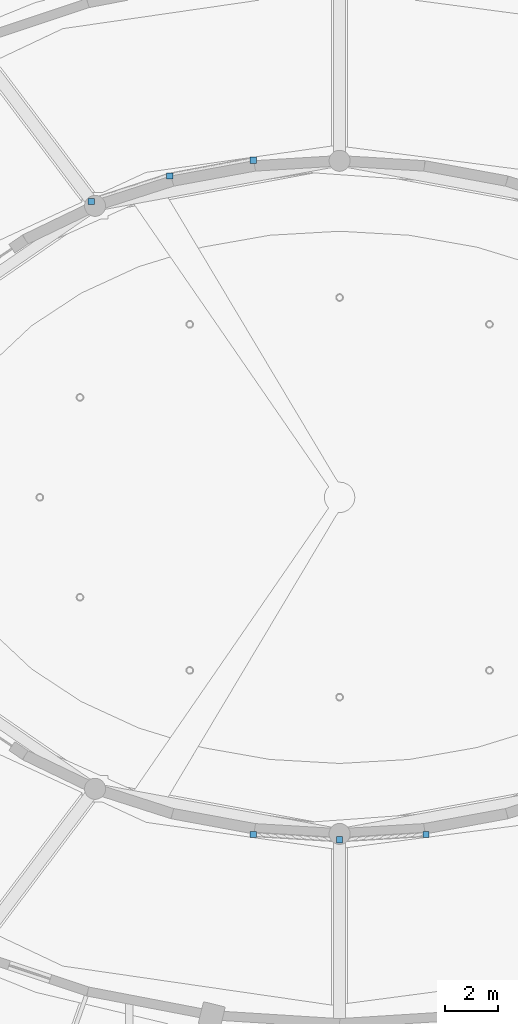
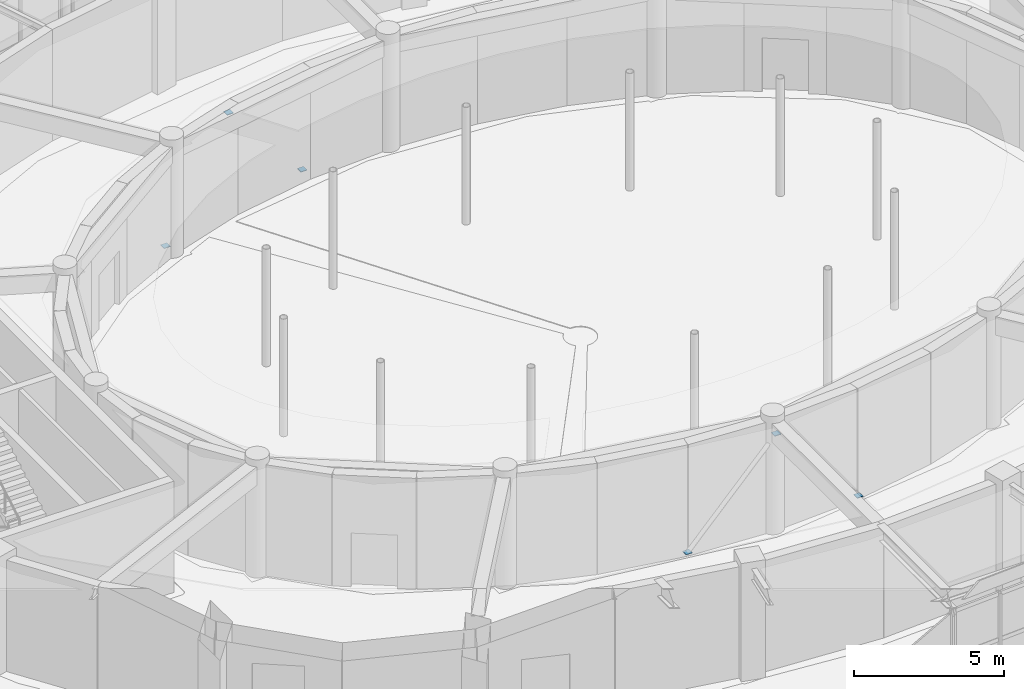
# One storey, part 97 of 108: 6 discrete accessories.
"""IFC4 building model written with IfcOpenShell, lengths in metres."""

import ifcopenshell
import ifcopenshell.guid

model = None  # the IFC model being written
_history = None  # IfcOwnerHistory: only IFC2X3 demands one
_inside = {}  # id of a spatial element -> (the spatial element, [elements in it])
_under = {}  # id of a project, library or spatial element -> (it, [spatial elements below it])
_declared = {}  # id of a project -> (the project, [libraries it declares])
_typed = {}  # id of a type object -> (the type object, [elements of that type])
_made_of = {}  # id of a material, layer set ... -> (it, [elements and type objects made of it])


def new_model(schema):
    """Start an empty IFC model of exactly this schema.

    Asked for "IFC4X3", IfcOpenShell would pick the latest addendum, in which some entities
    have other attributes; the version numbers below select the first issue.
    IFC2X3 requires an IfcOwnerHistory on every rooted entity: one is made here for all.
    """
    global model, _history
    if schema == "IFC4X3":
        model = ifcopenshell.file(schema_version=(4, 3, 0, 0))
    else:
        model = ifcopenshell.file(schema=schema)
    _inside.clear()
    _under.clear()
    _declared.clear()
    _typed.clear()
    _made_of.clear()
    _history = None
    if model.schema == "IFC2X3":
        org = make("IfcOrganization", Name="unknown")
        user = make(
            "IfcPersonAndOrganization",
            ThePerson=make("IfcPerson", FamilyName="unknown"),
            TheOrganization=org,
        )
        app = make(
            "IfcApplication",
            ApplicationDeveloper=org,
            Version="unknown",
            ApplicationFullName="unknown",
            ApplicationIdentifier="unknown",
        )
        _history = make(
            "IfcOwnerHistory",
            OwningUser=user,
            OwningApplication=app,
            ChangeAction="ADDED",
            CreationDate=0,
        )
    return model


def make(cls, **values):
    """One entity of the class cls with the attributes given. An attribute that is None is left unset."""
    return model.create_entity(
        cls, **{name: value for name, value in values.items() if value is not None}
    )


def rooted(cls, **values):
    """An entity with a GlobalId (a new one), such as an element, a storey or a relation."""
    return make(cls, GlobalId=ifcopenshell.guid.new(), OwnerHistory=_history, **values)


def si_unit(unit_type, name, prefix=None):
    """IfcSIUnit, for example si_unit("LENGTHUNIT", "METRE", prefix="MILLI")."""
    return make("IfcSIUnit", UnitType=unit_type, Prefix=prefix, Name=name)


def assignment(units):
    """IfcUnitAssignment: the units of a project."""
    return None if units is None else make("IfcUnitAssignment", Units=units)


def point(xyz):
    """IfcCartesianPoint."""
    return None if xyz is None else make("IfcCartesianPoint", Coordinates=xyz)


def direction(xyz):
    """IfcDirection."""
    return None if xyz is None else make("IfcDirection", DirectionRatios=xyz)


def frame(location, z_axis=None, x_axis=None):
    """IfcAxis2Placement3D, a coordinate frame: its origin and axes. An axis left out is left unset."""
    return make(
        "IfcAxis2Placement3D",
        Location=point(location),
        Axis=direction(z_axis),
        RefDirection=direction(x_axis),
    )


def frame_2d(location, x_axis=None):
    """IfcAxis2Placement2D, a coordinate frame in the plane: its origin and x axis."""
    return make(
        "IfcAxis2Placement2D", Location=point(location), RefDirection=direction(x_axis)
    )


def origin():
    """The frame at (0, 0, 0) with its axes left unset."""
    return frame((0.0, 0.0, 0.0))


def origin_2d():
    """The frame at (0, 0) in the plane with its x axis left unset."""
    return frame_2d((0.0, 0.0))


def place(relative_to, where):
    """IfcLocalPlacement: puts the frame where relative to a parent placement (None: the world)."""
    return make(
        "IfcLocalPlacement", PlacementRelTo=relative_to, RelativePlacement=where
    )


def context(
    kind, dimensions, precision=None, world=None, true_north=None, identifier=None
):
    """IfcGeometricRepresentationContext, for example the 3D "Model" context."""
    return make(
        "IfcGeometricRepresentationContext",
        ContextIdentifier=identifier,
        ContextType=kind,
        CoordinateSpaceDimension=dimensions,
        Precision=precision,
        WorldCoordinateSystem=world,
        TrueNorth=true_north,
    )


def subcontext(parent, identifier, kind, view, scale=None):
    """IfcGeometricRepresentationSubContext, for example "Body" below "Model"."""
    return make(
        "IfcGeometricRepresentationSubContext",
        ContextIdentifier=identifier,
        ContextType=kind,
        ParentContext=parent,
        TargetScale=scale,
        TargetView=view,
    )


def project(units=None, contexts=None):
    """IfcProject with its units and contexts."""
    return rooted(
        "IfcProject",
        Name="project",
        RepresentationContexts=contexts,
        UnitsInContext=assignment(units),
    )


def spatial(cls, under=None, at=None, **own):
    """A site, building, storey or space (cls), placed at a placement, below another one or the project."""
    s = rooted(cls, ObjectPlacement=at, **own)
    if under is not None:
        _under.setdefault(under.id(), (under, []))[1].append(s)
    return s


def profile(cls, at=None, kind="AREA", **sizes):
    """A parametric profile (cls). Its sizes go by their IFC names, for example OverallWidth=200.0."""
    return make(cls, ProfileType=kind, Position=at, **sizes)


def rectangle(**sizes):
    """IfcRectangleProfileDef."""
    return profile("IfcRectangleProfileDef", **sizes)


def extrude(swept, where, along, depth):
    """IfcExtrudedAreaSolid: the profile swept, set in the frame where, extruded along a direction by depth."""
    return make(
        "IfcExtrudedAreaSolid",
        SweptArea=swept,
        Position=where,
        ExtrudedDirection=direction(along),
        Depth=depth,
    )


def shape(context_of_items, identifier, shape_type, items):
    """IfcShapeRepresentation: the items that make up one representation, for example the "Body"."""
    return make(
        "IfcShapeRepresentation",
        ContextOfItems=context_of_items,
        RepresentationIdentifier=identifier,
        RepresentationType=shape_type,
        Items=items,
    )


def material(Name=None, Category=None):
    """IfcMaterial."""
    return make("IfcMaterial", Name=Name, Category=Category)


def made_of(thing, what):
    """Note that an element or type object is made of a material, layer set ...; save() writes the relation."""
    if what is not None:
        _made_of.setdefault(what.id(), (what, []))[1].append(thing)
    return thing


def type_object(cls, material=None, **own):
    """A type object (cls), such as IfcWallType, which elements share."""
    return made_of(rooted(cls, **own), material)


def element(
    cls,
    number,
    at=None,
    inside=None,
    cuts=None,
    type_object=None,
    material=None,
    context=None,
    identifier="Body",
    shape_type=None,
    held_by="IfcProductDefinitionShape",
    body=None,
    shapes=None,
    **own,
):
    """One element of the class cls, such as IfcWall. Its Tag is "e" and its number.

    at: its placement. inside: the storey or other place that contains it. cuts: it is an
    opening in that element (IfcRelVoidsElement). A single representation is given by context,
    identifier, shape_type and body (its items); several are given by shapes. held_by: the class
    of the entity that holds the representations. save() writes the other relations.
    """
    e = rooted(cls, Tag="e%d" % number, ObjectPlacement=at, **own)
    if body is not None:
        shapes = [shape(context, identifier, shape_type, body)]
    if shapes is not None:
        e.Representation = make(held_by, Representations=shapes)
    if inside is not None:
        _inside.setdefault(inside.id(), (inside, []))[1].append(e)
    if cuts is not None:
        rooted(
            "IfcRelVoidsElement", RelatingBuildingElement=cuts, RelatedOpeningElement=e
        )
    if type_object is not None:
        _typed.setdefault(type_object.id(), (type_object, []))[1].append(e)
    return made_of(e, material)


def aggregate(whole, parts):
    """IfcRelAggregates: a whole, such as a stair, and the parts it consists of."""
    return rooted("IfcRelAggregates", RelatingObject=whole, RelatedObjects=parts)


def save(model, path):
    """Write the relations noted so far, then the file.

    IfcRelAggregates (storeys below a building ...), IfcRelContainedInSpatialStructure (elements
    in a storey), IfcRelDefinesByType, IfcRelAssociatesMaterial and IfcRelDeclares: one each for
    every whole, place, type object, material and project.
    """
    for whole, parts in _under.values():
        aggregate(whole, parts)
    for where, things in _inside.values():
        rooted(
            "IfcRelContainedInSpatialStructure",
            RelatedElements=things,
            RelatingStructure=where,
        )
    for kind, things in _typed.values():
        rooted("IfcRelDefinesByType", RelatedObjects=things, RelatingType=kind)
    for what, things in _made_of.values():
        rooted("IfcRelAssociatesMaterial", RelatedObjects=things, RelatingMaterial=what)
    for by, libraries in _declared.values():
        rooted("IfcRelDeclares", RelatingContext=by, RelatedDefinitions=libraries)
    model.write(path)


model = new_model("IFC4")

# Units and contexts
model_context = context("Model", 3, precision=1e-05, world=origin(), true_north=direction((0.0, 1.0)))
body_context = subcontext(model_context, "Body", "Model", "MODEL_VIEW")
ifc_project = project(units=[si_unit("LENGTHUNIT", "METRE"), si_unit("AREAUNIT", "SQUARE_METRE"), si_unit("VOLUMEUNIT", "CUBIC_METRE"), si_unit("PLANEANGLEUNIT", "RADIAN"), si_unit("MASSUNIT", "GRAM", prefix="KILO")], contexts=[model_context])

# Site, building, storey
site_placement = place(None, origin())
site = spatial("IfcSite", under=ifc_project, at=site_placement, CompositionType="ELEMENT")
building_placement = place(site_placement, origin())
building = spatial("IfcBuilding", under=site, at=building_placement, Name="Tarnveldt Headland Concert Hall", CompositionType="ELEMENT")
storey_placement = place(building_placement, origin())
storey = spatial("IfcBuildingStorey", under=building, at=storey_placement, Name="L00", CompositionType="ELEMENT", Elevation=0.0)

# Discrete accessories
ifc_material = material(Name="Steel S355", Category="steel")
discrete_accessory_type = type_object("IfcDiscreteAccessoryType", Name="DA-GUS25", PredefinedType="BRACKET", material=ifc_material)
for number, where, z_axis, x_axis, name in (
    (1, (80.215576171875, 67.318603515625, 0.16748046875), (0.0, 0.0, 1.0), (1.0, 0.0, 0.0), "Bolted brace gusset connection 18"),
    (2, (74.05859375, 65.753662109375, 0.16748046875), (0.0, 0.0, 1.0), (1.0, 0.0, 0.0), "Bolted brace gusset connection 19"),
    (3, (77.035400390625, 66.72265625, 3.95751953125), (0.0, 0.0, 1.0), (1.0, 0.0, 0.0), "Bolted brace gusset connection 20"),
    (4, (80.215576171875, 41.681396484375, 0.16748046875), (0.0, 0.0, 1.0), (1.0, 0.0, 0.0), "Bolted brace gusset connection 21"),
    (5, (86.784423828125, 41.681396484375, 0.16748046875), (0.0, 0.0, 1.0), (1.0, 0.0, 0.0), "Bolted brace gusset connection 22"),
    (6, (83.5, 41.47998046875, 3.95751953125), (0.0, 0.0, 1.0), (1.0, 0.0, 0.0), "Bolted brace gusset connection 23"),
):
    element("IfcDiscreteAccessory", number, at=place(storey_placement, frame(where, z_axis=z_axis, x_axis=x_axis)), inside=storey, type_object=discrete_accessory_type, Name=name, PredefinedType="BRACKET", context=body_context, shape_type="SweptSolid", body=[
        extrude(rectangle(XDim=0.239990234375, YDim=0.239990234375, at=origin_2d()), origin(), (0.0, 0.0, 1.0), 0.02490234375),
    ])

save(model, "model.ifc")
